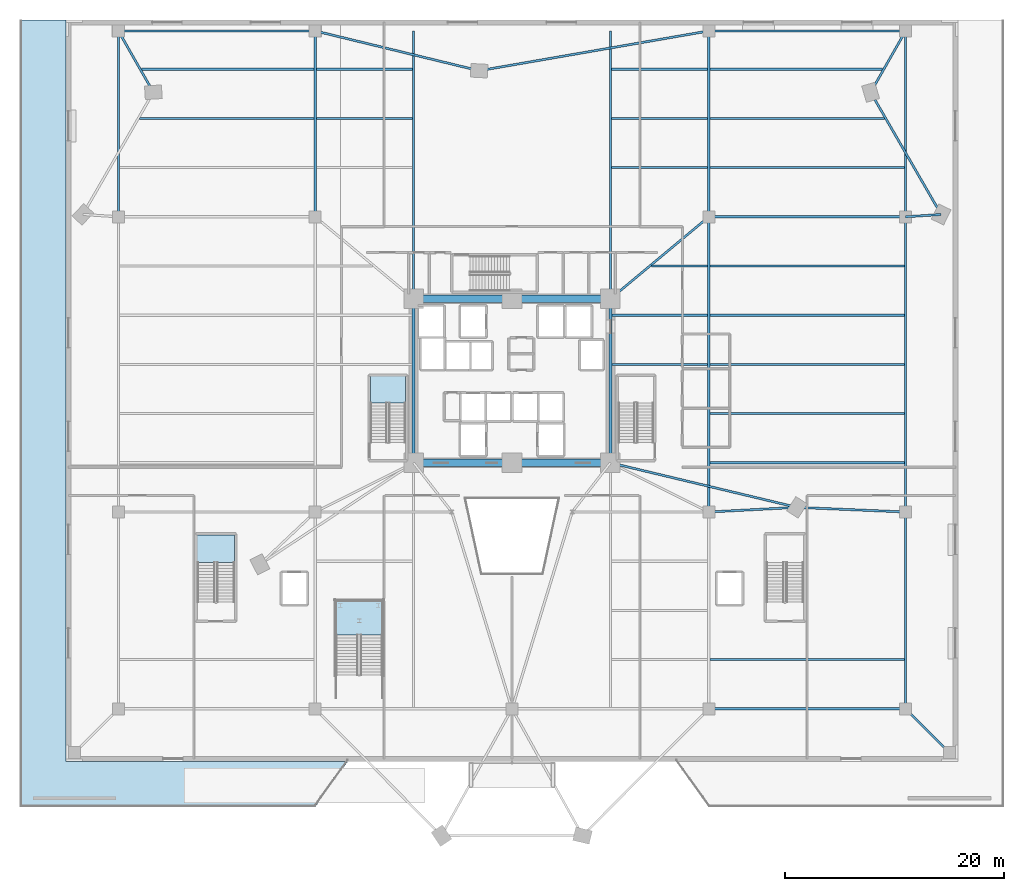
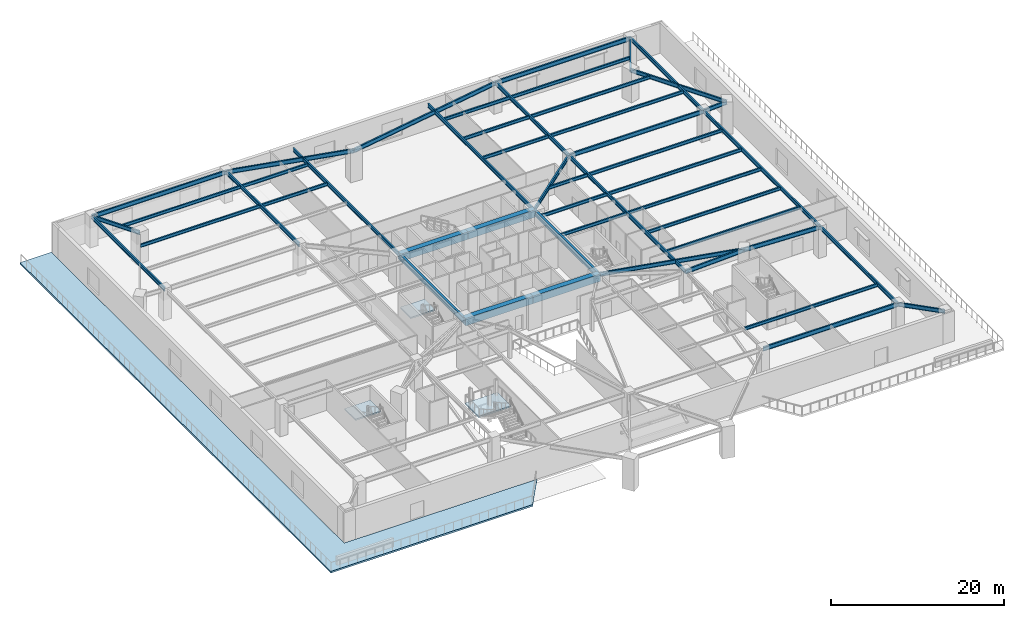
# One storey, part 4 of 19: 49 beams, 4 slabs, 3 elements without a shape of their own.
"""IFC4 building model written with IfcOpenShell, lengths in metres."""

from ifc_helpers import new_model, si_unit, direction, frame, origin, origin_2d, place, context, subcontext, project, spatial, polyline, rectangle, i_section, outline, extrude, source, transform, mapped, material, layer, layer_set, material_profile, profile_set, type_object, element, aggregate, save


model = new_model("IFC4")

# Units and contexts
model_context = context("Model", 3, precision=1e-05, world=origin(), true_north=direction((0.0, 1.0)))
body_context = subcontext(model_context, "Body", "Model", "MODEL_VIEW")
ifc_project = project(units=[si_unit("LENGTHUNIT", "METRE"), si_unit("AREAUNIT", "SQUARE_METRE"), si_unit("VOLUMEUNIT", "CUBIC_METRE"), si_unit("PLANEANGLEUNIT", "RADIAN"), si_unit("MASSUNIT", "GRAM", prefix="KILO")], contexts=[model_context])

# Site, building, storey
site_placement = place(None, origin())
site = spatial("IfcSite", under=ifc_project, at=site_placement, CompositionType="ELEMENT")
building_placement = place(site_placement, origin())
building = spatial("IfcBuilding", under=site, at=building_placement, Name="Liaohun Quay Tower", CompositionType="ELEMENT")
storey_placement = place(building_placement, frame((0.0, 0.0, 9.89990234375)))
storey = spatial("IfcBuildingStorey", under=building, at=storey_placement, Name="L03", CompositionType="ELEMENT", Elevation=9.89990234375)

# Beams
ifc_material_1 = material(Name="Concrete C60", Category="concrete")
ifc_material_profile_1 = material_profile(ifc_material_1, rectangle(XDim=0.699951171875, YDim=1.050048828125, at=origin_2d()), Name="RC700x1050")
ifc_profile_set_1 = profile_set([ifc_material_profile_1], Name="Concrete C60")
beam_type_1 = type_object("IfcBeamType", Name="BM-CPL-1", PredefinedType="LINTEL", material=ifc_profile_set_1)
shared_shape_1 = source(origin(), body_context, "Body", "SweptSolid", [
    extrude(rectangle(XDim=0.699951171875, YDim=1.050048828125, at=origin_2d()), origin(), (0.0, 0.0, 1.0), 9.0),
])
for number, where, z_axis, x_axis, name in (
    (1, (51.0, 46.5, 3.72509765625), (1.0, 0.0, 0.0), (0.0, 1.0, 0.0), "L03 Core Coupling/Ring Beam CC1-CC2"),
    (2, (60.0, 46.5, 3.72509765625), (1.0, 0.0, 0.0), (0.0, 1.0, 0.0), "L03 Core Coupling/Ring Beam CC2-CC3"),
    (3, (69.0, 61.5, 3.72509765625), (-1.0, 0.0, 0.0), (0.0, -1.0, 0.0), "L03 Core Coupling/Ring Beam CC4-CC5"),
    (4, (60.0, 61.5, 3.72509765625), (-1.0, 0.0, 0.0), (0.0, -1.0, 0.0), "L03 Core Coupling/Ring Beam CC5-CC6"),
):
    element("IfcBeam", number, at=place(storey_placement, frame(where, z_axis=z_axis, x_axis=x_axis)), inside=storey, type_object=beam_type_1, Name=name, PredefinedType="LINTEL", context=body_context, shape_type="MappedRepresentation", body=[
        mapped(shared_shape_1, transform((0.0, 0.0, 0.0), x_axis=(1.0, 0.0, 0.0), y_axis=(0.0, 1.0, 0.0), z_axis=(0.0, 0.0, 1.0), scale=1.0)),
    ])
ifc_material_2 = material(Name="Steel Q355D", Category="steel")
ifc_material_profile_2 = material_profile(ifc_material_2, i_section(OverallWidth=0.300048828125, OverallDepth=0.800048828125, WebThickness=0.013916015625, FlangeThickness=0.02587890625, at=origin_2d()), Name="HN800x300x14x26")
ifc_profile_set_2 = profile_set([ifc_material_profile_2], Name="Steel Q355D")
beam_type_2 = type_object("IfcBeamType", Name="BM-RAD-M1", PredefinedType="BEAM", material=ifc_profile_set_2)
shared_shape_2 = source(origin(), body_context, "Body", "SweptSolid", [
    extrude(i_section(OverallWidth=0.300048828125, OverallDepth=0.800048828125, WebThickness=0.013916015625, FlangeThickness=0.02587890625, at=origin_2d()), origin(), (0.0, 0.0, 1.0), 15.0),
])
for number, where, z_axis, x_axis, name in (
    (5, (69.0, 46.5, 3.85009765625), (0.0, 1.0, 0.0), (-1.0, 0.0, 0.0), "L03 Core Coupling/Ring Beam CC3-CC4"),
    (6, (51.0, 61.5, 3.85009765625), (0.0, -1.0, 0.0), (1.0, 0.0, 0.0), "L03 Core Coupling/Ring Beam CC6-CC1"),
):
    element("IfcBeam", number, at=place(storey_placement, frame(where, z_axis=z_axis, x_axis=x_axis)), inside=storey, type_object=beam_type_2, Name=name, PredefinedType="BEAM", context=body_context, shape_type="MappedRepresentation", body=[
        mapped(shared_shape_2, transform((0.0, 0.0, 0.0), x_axis=(1.0, 0.0, 0.0), y_axis=(0.0, 1.0, 0.0), z_axis=(0.0, 0.0, 1.0), scale=1.0)),
    ])
ifc_material_profile_3 = material_profile(ifc_material_2, i_section(OverallWidth=0.199951171875, OverallDepth=0.449951171875, WebThickness=0.009033203125, FlangeThickness=0.013916015625, at=origin_2d()), Name="HN450x200x9x14")
ifc_profile_set_3 = profile_set([ifc_material_profile_3], Name="Steel Q355D")
beam_type_3 = type_object("IfcBeamType", Name="BM-SEC-J1", PredefinedType="JOIST", material=ifc_profile_set_3)
shared_shape_3 = source(origin(), body_context, "Body", "SweptSolid", [
    extrude(i_section(OverallWidth=0.199951171875, OverallDepth=0.449951171875, WebThickness=0.009033203125, FlangeThickness=0.013916015625, at=origin_2d()), origin(), (0.0, 0.0, 1.0), 8.7998046875),
])
for number, where, z_axis, x_axis, name in (
    (7, (42.10009765625, 78.0, 4.025146484375), (1.0, 0.0, 0.0), (0.0, 1.0, 0.0), "L03 Composite Floor Joist SJ-21"),
    (8, (42.10009765625, 82.5, 4.025146484375), (1.0, 0.0, 0.0), (0.0, 1.0, 0.0), "L03 Composite Floor Joist SJ-22"),
    (9, (69.10009765625, 73.5, 4.025146484375), (1.0, 0.0, 0.0), (0.0, 1.0, 0.0), "L03 Composite Floor Joist SJ-31"),
    (10, (69.10009765625, 78.0, 4.025146484375), (1.0, 0.0, 0.0), (0.0, 1.0, 0.0), "L03 Composite Floor Joist SJ-32"),
    (11, (69.10009765625, 82.5, 4.025146484375), (1.0, 0.0, 0.0), (0.0, 1.0, 0.0), "L03 Composite Floor Joist SJ-33"),
):
    element("IfcBeam", number, at=place(storey_placement, frame(where, z_axis=z_axis, x_axis=x_axis)), inside=storey, type_object=beam_type_3, Name=name, PredefinedType="JOIST", context=body_context, shape_type="MappedRepresentation", body=[
        mapped(shared_shape_3, transform((0.0, 0.0, 0.0), x_axis=(1.0, 0.0, 0.0), y_axis=(0.0, 1.0, 0.0), z_axis=(0.0, 0.0, 1.0), scale=1.0)),
    ])
shared_shape_4 = source(origin(), body_context, "Body", "SweptSolid", [
    extrude(i_section(OverallWidth=0.199951171875, OverallDepth=0.449951171875, WebThickness=0.009033203125, FlangeThickness=0.013916015625, at=origin_2d()), origin(), (0.0, 0.0, 1.0), 17.7998046875),
])
for number, where, z_axis, x_axis, name in (
    (12, (78.10009765625, 28.5, 4.025146484375), (1.0, 0.0, 0.0), (0.0, 1.0, 0.0), "L03 Composite Floor Joist SJ-34"),
    (13, (78.10009765625, 46.5, 4.025146484375), (1.0, 0.0, 0.0), (0.0, 1.0, 0.0), "L03 Composite Floor Joist SJ-37"),
    (14, (78.10009765625, 51.0, 4.025146484375), (1.0, 0.0, 0.0), (0.0, 1.0, 0.0), "L03 Composite Floor Joist SJ-38"),
    (15, (78.10009765625, 55.5, 4.025146484375), (1.0, 0.0, 0.0), (0.0, 1.0, 0.0), "L03 Composite Floor Joist SJ-39"),
    (16, (78.10009765625, 60.0, 4.025146484375), (1.0, 0.0, 0.0), (0.0, 1.0, 0.0), "L03 Composite Floor Joist SJ-40"),
    (17, (78.10009765625, 64.5, 4.025146484375), (1.0, 0.0, 0.0), (0.0, 1.0, 0.0), "L03 Composite Floor Joist SJ-41"),
    (18, (78.10009765625, 73.5, 4.025146484375), (1.0, 0.0, 0.0), (0.0, 1.0, 0.0), "L03 Composite Floor Joist SJ-42"),
):
    element("IfcBeam", number, at=place(storey_placement, frame(where, z_axis=z_axis, x_axis=x_axis)), inside=storey, type_object=beam_type_3, Name=name, PredefinedType="JOIST", context=body_context, shape_type="MappedRepresentation", body=[
        mapped(shared_shape_4, transform((0.0, 0.0, 0.0), x_axis=(1.0, 0.0, 0.0), y_axis=(0.0, 1.0, 0.0), z_axis=(0.0, 0.0, 1.0), scale=1.0)),
    ])
shared_shape_5 = source(origin(), body_context, "Body", "SweptSolid", [
    extrude(i_section(OverallWidth=0.199951171875, OverallDepth=0.449951171875, WebThickness=0.009033203125, FlangeThickness=0.013916015625, at=origin_2d()), origin(), (0.0, 0.0, 1.0), 15.9658203125),
])
beam_1_placement = place(storey_placement, frame((25.93408203125, 78.0, 4.025146484375), z_axis=(1.0, 0.0, 0.0), x_axis=(0.0, 1.0, 0.0)))
element("IfcBeam", 19, at=beam_1_placement, inside=storey, type_object=beam_type_3, Name="L03 Composite Floor Joist SJ-10", PredefinedType="JOIST", context=body_context, shape_type="MappedRepresentation", body=[
    mapped(shared_shape_5, transform((0.0, 0.0, 0.0), x_axis=(1.0, 0.0, 0.0), y_axis=(0.0, 1.0, 0.0), z_axis=(0.0, 0.0, 1.0), scale=1.0)),
])
shared_shape_6 = source(origin(), body_context, "Body", "SweptSolid", [
    extrude(i_section(OverallWidth=0.199951171875, OverallDepth=0.449951171875, WebThickness=0.009033203125, FlangeThickness=0.013916015625, at=origin_2d()), origin(), (0.0, 0.0, 1.0), 15.788818359375),
])
beam_2_placement = place(storey_placement, frame((26.111083984375, 82.5, 4.025146484375), z_axis=(1.0, 0.0, 0.0), x_axis=(0.0, 1.0, 0.0)))
element("IfcBeam", 20, at=beam_2_placement, inside=storey, type_object=beam_type_3, Name="L03 Composite Floor Joist SJ-11", PredefinedType="JOIST", context=body_context, shape_type="MappedRepresentation", body=[
    mapped(shared_shape_6, transform((0.0, 0.0, 0.0), x_axis=(1.0, 0.0, 0.0), y_axis=(0.0, 1.0, 0.0), z_axis=(0.0, 0.0, 1.0), scale=1.0)),
])
shared_shape_7 = source(origin(), body_context, "Body", "SweptSolid", [
    extrude(i_section(OverallWidth=0.199951171875, OverallDepth=0.449951171875, WebThickness=0.009033203125, FlangeThickness=0.013916015625, at=origin_2d()), origin(), (0.0, 0.0, 1.0), 8.75),
])
for number, where, z_axis, x_axis, name in (
    (21, (69.14990234375, 55.5, 4.025146484375), (1.0, 0.0, 0.0), (0.0, 1.0, 0.0), "L03 Composite Floor Joist SJ-28"),
    (22, (69.14990234375, 60.0, 4.025146484375), (1.0, 0.0, 0.0), (0.0, 1.0, 0.0), "L03 Composite Floor Joist SJ-29"),
):
    element("IfcBeam", number, at=place(storey_placement, frame(where, z_axis=z_axis, x_axis=x_axis)), inside=storey, type_object=beam_type_3, Name=name, PredefinedType="JOIST", context=body_context, shape_type="MappedRepresentation", body=[
        mapped(shared_shape_7, transform((0.0, 0.0, 0.0), x_axis=(1.0, 0.0, 0.0), y_axis=(0.0, 1.0, 0.0), z_axis=(0.0, 0.0, 1.0), scale=1.0)),
    ])
shared_shape_8 = source(origin(), body_context, "Body", "SweptSolid", [
    extrude(i_section(OverallWidth=0.199951171875, OverallDepth=0.449951171875, WebThickness=0.009033203125, FlangeThickness=0.013916015625, at=origin_2d()), origin(), (0.0, 0.0, 1.0), 15.96484375),
])
beam_3_placement = place(storey_placement, frame((78.10009765625, 78.0, 4.025146484375), z_axis=(1.0, 0.0, 0.0), x_axis=(0.0, 1.0, 0.0)))
element("IfcBeam", 23, at=beam_3_placement, inside=storey, type_object=beam_type_3, Name="L03 Composite Floor Joist SJ-43", PredefinedType="JOIST", context=body_context, shape_type="MappedRepresentation", body=[
    mapped(shared_shape_8, transform((0.0, 0.0, 0.0), x_axis=(1.0, 0.0, 0.0), y_axis=(0.0, 1.0, 0.0), z_axis=(0.0, 0.0, 1.0), scale=1.0)),
])
shared_shape_9 = source(origin(), body_context, "Body", "SweptSolid", [
    extrude(i_section(OverallWidth=0.199951171875, OverallDepth=0.449951171875, WebThickness=0.009033203125, FlangeThickness=0.013916015625, at=origin_2d()), origin(), (0.0, 0.0, 1.0), 15.7919921875),
])
beam_4_placement = place(storey_placement, frame((78.10009765625, 82.5, 4.025146484375), z_axis=(1.0, 0.0, 0.0), x_axis=(0.0, 1.0, 0.0)))
element("IfcBeam", 24, at=beam_4_placement, inside=storey, type_object=beam_type_3, Name="L03 Composite Floor Joist SJ-44", PredefinedType="JOIST", context=body_context, shape_type="MappedRepresentation", body=[
    mapped(shared_shape_9, transform((0.0, 0.0, 0.0), x_axis=(1.0, 0.0, 0.0), y_axis=(0.0, 1.0, 0.0), z_axis=(0.0, 0.0, 1.0), scale=1.0)),
])
ifc_material_profile_4 = material_profile(ifc_material_2, i_section(OverallWidth=0.199951171875, OverallDepth=0.60009765625, WebThickness=0.010986328125, FlangeThickness=0.01708984375, at=origin_2d()), Name="HN600x200x11x17")
ifc_profile_set_4 = profile_set([ifc_material_profile_4], Name="Steel Q355D")
beam_type_4 = type_object("IfcBeamType", Name="BM-POD-G1", PredefinedType="BEAM", material=ifc_profile_set_4)
shared_shape_10 = source(origin(), body_context, "Body", "SweptSolid", [
    extrude(i_section(OverallWidth=0.199951171875, OverallDepth=0.60009765625, WebThickness=0.010986328125, FlangeThickness=0.01708984375, at=origin_2d()), origin(), (0.0, 0.0, 1.0), 18.0),
])
for number, where, z_axis, x_axis, name in (
    (25, (78.0, 24.0, 3.9501953125), (1.0, 0.0, 0.0), (0.0, 1.0, 0.0), "L03 Primary Grid Girder PG04-PG05"),
    (26, (78.0, 69.0, 3.9501953125), (1.0, 0.0, 0.0), (0.0, 1.0, 0.0), "L03 Primary Grid Girder PG12-PG13"),
    (27, (24.0, 86.0, 3.9501953125), (1.0, 0.0, 0.0), (0.0, 1.0, 0.0), "L03 Primary Grid Girder PG14-PG15"),
    (28, (78.0, 86.0, 3.9501953125), (1.0, 0.0, 0.0), (0.0, 1.0, 0.0), "L03 Primary Grid Girder PG17-PG18"),
):
    element("IfcBeam", number, at=place(storey_placement, frame(where, z_axis=z_axis, x_axis=x_axis)), inside=storey, type_object=beam_type_4, Name=name, PredefinedType="BEAM", context=body_context, shape_type="MappedRepresentation", body=[
        mapped(shared_shape_10, transform((0.0, 0.0, 0.0), x_axis=(1.0, 0.0, 0.0), y_axis=(0.0, 1.0, 0.0), z_axis=(0.0, 0.0, 1.0), scale=1.0)),
    ])
shared_shape_11 = source(origin(), body_context, "Body", "SweptSolid", [
    extrude(i_section(OverallWidth=0.199951171875, OverallDepth=0.60009765625, WebThickness=0.010986328125, FlangeThickness=0.01708984375, at=origin_2d()), origin(), (0.0, 0.0, 1.0), 8.074951171875),
])
beam_5_placement = place(storey_placement, frame((78.0, 42.0, 3.9501953125), z_axis=(0.998626418426, 0.052395385502, 0.0), x_axis=(-0.052395385502, 0.998626418426, 0.0)))
element("IfcBeam", 29, at=beam_5_placement, inside=storey, type_object=beam_type_4, Name="L03 Primary Grid Girder PG08-PC10", PredefinedType="BEAM", context=body_context, shape_type="MappedRepresentation", body=[
    mapped(shared_shape_11, transform((0.0, 0.0, 0.0), x_axis=(1.0, 0.0, 0.0), y_axis=(0.0, 1.0, 0.0), z_axis=(0.0, 0.0, 1.0), scale=1.0)),
])
shared_shape_12 = source(origin(), body_context, "Body", "SweptSolid", [
    extrude(i_section(OverallWidth=0.199951171875, OverallDepth=0.60009765625, WebThickness=0.010986328125, FlangeThickness=0.01708984375, at=origin_2d()), origin(), (0.0, 0.0, 1.0), 9.945068359375),
])
beam_6_placement = place(storey_placement, frame((86.06396484375, 42.423095703125, 3.9501953125), z_axis=(0.999094620033, -0.042543392219, 0.0), x_axis=(0.042543392219, 0.999094620033, 0.0)))
element("IfcBeam", 30, at=beam_6_placement, inside=storey, type_object=beam_type_4, Name="L03 Primary Grid Girder PC10-PG09", PredefinedType="BEAM", context=body_context, shape_type="MappedRepresentation", body=[
    mapped(shared_shape_12, transform((0.0, 0.0, 0.0), x_axis=(1.0, 0.0, 0.0), y_axis=(0.0, 1.0, 0.0), z_axis=(0.0, 0.0, 1.0), scale=1.0)),
])
shared_shape_13 = source(origin(), body_context, "Body", "SweptSolid", [
    extrude(i_section(OverallWidth=0.199951171875, OverallDepth=0.60009765625, WebThickness=0.010986328125, FlangeThickness=0.01708984375, at=origin_2d()), origin(), (0.0, 0.0, 1.0), 11.71533203125),
])
beam_7_placement = place(storey_placement, frame((69.0, 61.5, 3.9501953125), z_axis=(0.768221279597, 0.640184399664, 0.0), x_axis=(-0.640184399664, 0.768221279597, 0.0)))
element("IfcBeam", 31, at=beam_7_placement, inside=storey, type_object=beam_type_4, Name="L03 Primary Grid Girder CC4-PG12", PredefinedType="BEAM", context=body_context, shape_type="MappedRepresentation", body=[
    mapped(shared_shape_13, transform((0.0, 0.0, 0.0), x_axis=(1.0, 0.0, 0.0), y_axis=(0.0, 1.0, 0.0), z_axis=(0.0, 0.0, 1.0), scale=1.0)),
])
shared_shape_14 = source(origin(), body_context, "Body", "SweptSolid", [
    extrude(i_section(OverallWidth=0.199951171875, OverallDepth=0.60009765625, WebThickness=0.010986328125, FlangeThickness=0.01708984375, at=origin_2d()), origin(), (0.0, 0.0, 1.0), 15.4306640625),
])
beam_8_placement = place(storey_placement, frame((42.0, 86.0, 3.9501953125), z_axis=(0.971780133719, -0.235888473032, 0.0), x_axis=(0.235888473032, 0.971780133719, 0.0)))
element("IfcBeam", 32, at=beam_8_placement, inside=storey, type_object=beam_type_4, Name="L03 Primary Grid Girder PG15-PC06", PredefinedType="BEAM", context=body_context, shape_type="MappedRepresentation", body=[
    mapped(shared_shape_14, transform((0.0, 0.0, 0.0), x_axis=(1.0, 0.0, 0.0), y_axis=(0.0, 1.0, 0.0), z_axis=(0.0, 0.0, 1.0), scale=1.0)),
])
shared_shape_15 = source(origin(), body_context, "Body", "SweptSolid", [
    extrude(i_section(OverallWidth=0.199951171875, OverallDepth=0.60009765625, WebThickness=0.010986328125, FlangeThickness=0.01708984375, at=origin_2d()), origin(), (0.0, 0.0, 1.0), 21.31787109375),
])
beam_9_placement = place(storey_placement, frame((56.9951171875, 82.360107421875, 3.9501953125), z_axis=(0.985315548274, 0.170743287801, 0.0), x_axis=(-0.170743287801, 0.985315548274, 0.0)))
element("IfcBeam", 33, at=beam_9_placement, inside=storey, type_object=beam_type_4, Name="L03 Primary Grid Girder PC06-PG17", PredefinedType="BEAM", context=body_context, shape_type="MappedRepresentation", body=[
    mapped(shared_shape_15, transform((0.0, 0.0, 0.0), x_axis=(1.0, 0.0, 0.0), y_axis=(0.0, 1.0, 0.0), z_axis=(0.0, 0.0, 1.0), scale=1.0)),
])
ifc_material_profile_5 = material_profile(ifc_material_2, i_section(OverallWidth=0.199951171875, OverallDepth=0.550048828125, WebThickness=0.010009765625, FlangeThickness=0.01611328125, at=origin_2d()), Name="HN550x200x10x16")
ifc_profile_set_5 = profile_set([ifc_material_profile_5], Name="Steel Q355D")
beam_type_5 = type_object("IfcBeamType", Name="BM-POD-G2", PredefinedType="BEAM", material=ifc_profile_set_5)
shared_shape_16 = source(origin(), body_context, "Body", "SweptSolid", [
    extrude(i_section(OverallWidth=0.199951171875, OverallDepth=0.550048828125, WebThickness=0.010009765625, FlangeThickness=0.01611328125, at=origin_2d()), origin(), (0.0, 0.0, 1.0), 27.0),
])
for number, where, z_axis, x_axis, name in (
    (34, (78.0, 42.0, 3.97509765625), (0.0, 1.0, 0.0), (-1.0, 0.0, 0.0), "L03 Primary Grid Girder PG08-PG12"),
    (35, (96.0, 42.0, 3.97509765625), (0.0, 1.0, 0.0), (-1.0, 0.0, 0.0), "L03 Primary Grid Girder PG09-PG13"),
):
    element("IfcBeam", number, at=place(storey_placement, frame(where, z_axis=z_axis, x_axis=x_axis)), inside=storey, type_object=beam_type_5, Name=name, PredefinedType="BEAM", context=body_context, shape_type="MappedRepresentation", body=[
        mapped(shared_shape_16, transform((0.0, 0.0, 0.0), x_axis=(1.0, 0.0, 0.0), y_axis=(0.0, 1.0, 0.0), z_axis=(0.0, 0.0, 1.0), scale=1.0)),
    ])
shared_shape_17 = source(origin(), body_context, "Body", "SweptSolid", [
    extrude(i_section(OverallWidth=0.199951171875, OverallDepth=0.550048828125, WebThickness=0.010009765625, FlangeThickness=0.01611328125, at=origin_2d()), origin(), (0.0, 0.0, 1.0), 17.0),
])
for number, where, z_axis, x_axis, name in (
    (36, (24.0, 69.0, 3.97509765625), (0.0, 1.0, 0.0), (-1.0, 0.0, 0.0), "L03 Primary Grid Girder PG10-PG14"),
    (37, (42.0, 69.0, 3.97509765625), (0.0, 1.0, 0.0), (-1.0, 0.0, 0.0), "L03 Primary Grid Girder PG11-PG15"),
    (38, (78.0, 69.0, 3.97509765625), (0.0, 1.0, 0.0), (-1.0, 0.0, 0.0), "L03 Primary Grid Girder PG12-PG17"),
    (39, (96.0, 69.0, 3.97509765625), (0.0, 1.0, 0.0), (-1.0, 0.0, 0.0), "L03 Primary Grid Girder PG13-PG18"),
):
    element("IfcBeam", number, at=place(storey_placement, frame(where, z_axis=z_axis, x_axis=x_axis)), inside=storey, type_object=beam_type_5, Name=name, PredefinedType="BEAM", context=body_context, shape_type="MappedRepresentation", body=[
        mapped(shared_shape_17, transform((0.0, 0.0, 0.0), x_axis=(1.0, 0.0, 0.0), y_axis=(0.0, 1.0, 0.0), z_axis=(0.0, 0.0, 1.0), scale=1.0)),
    ])
shared_shape_18 = source(origin(), body_context, "Body", "SweptSolid", [
    extrude(i_section(OverallWidth=0.199951171875, OverallDepth=0.550048828125, WebThickness=0.010009765625, FlangeThickness=0.01611328125, at=origin_2d()), origin(), (0.0, 0.0, 1.0), 18.0),
])
beam_10_placement = place(storey_placement, frame((96.0, 24.0, 3.97509765625), z_axis=(0.0, 1.0, 0.0), x_axis=(-1.0, 0.0, 0.0)))
element("IfcBeam", 40, at=beam_10_placement, inside=storey, type_object=beam_type_5, Name="L03 Primary Grid Girder PG05-PG09", PredefinedType="BEAM", context=body_context, shape_type="MappedRepresentation", body=[
    mapped(shared_shape_18, transform((0.0, 0.0, 0.0), x_axis=(1.0, 0.0, 0.0), y_axis=(0.0, 1.0, 0.0), z_axis=(0.0, 0.0, 1.0), scale=1.0)),
])
shared_shape_19 = source(origin(), body_context, "Body", "SweptSolid", [
    extrude(i_section(OverallWidth=0.199951171875, OverallDepth=0.550048828125, WebThickness=0.010009765625, FlangeThickness=0.01611328125, at=origin_2d()), origin(), (0.0, 0.0, 1.0), 17.544189453125),
])
beam_11_placement = place(storey_placement, frame((86.06396484375, 42.423095703125, 3.97509765625), z_axis=(-0.972625403076, 0.23237862486, 0.0), x_axis=(-0.23237862486, -0.972625403076, 0.0)))
element("IfcBeam", 41, at=beam_11_placement, inside=storey, type_object=beam_type_5, Name="L03 Primary Grid Girder PC10-CC3", PredefinedType="BEAM", context=body_context, shape_type="MappedRepresentation", body=[
    mapped(shared_shape_19, transform((0.0, 0.0, 0.0), x_axis=(1.0, 0.0, 0.0), y_axis=(0.0, 1.0, 0.0), z_axis=(0.0, 0.0, 1.0), scale=1.0)),
])
shared_shape_20 = source(origin(), body_context, "Body", "SweptSolid", [
    extrude(i_section(OverallWidth=0.199951171875, OverallDepth=0.550048828125, WebThickness=0.010009765625, FlangeThickness=0.01611328125, at=origin_2d()), origin(), (0.0, 0.0, 1.0), 6.45703125),
])
beam_12_placement = place(storey_placement, frame((27.198974609375, 80.39111328125, 3.97509765625), z_axis=(-0.49542619565, 0.868650035782, 0.0), x_axis=(-0.868650035782, -0.49542619565, 0.0)))
element("IfcBeam", 42, at=beam_12_placement, inside=storey, type_object=beam_type_5, Name="L03 Primary Grid Girder PC05-PG14", PredefinedType="BEAM", context=body_context, shape_type="MappedRepresentation", body=[
    mapped(shared_shape_20, transform((0.0, 0.0, 0.0), x_axis=(1.0, 0.0, 0.0), y_axis=(0.0, 1.0, 0.0), z_axis=(0.0, 0.0, 1.0), scale=1.0)),
])
shared_shape_21 = source(origin(), body_context, "Body", "SweptSolid", [
    extrude(i_section(OverallWidth=0.199951171875, OverallDepth=0.550048828125, WebThickness=0.010009765625, FlangeThickness=0.01611328125, at=origin_2d()), origin(), (0.0, 0.0, 1.0), 6.462158203125),
])
beam_13_placement = place(storey_placement, frame((92.802978515625, 80.384033203125, 3.97509765625), z_axis=(0.494726480393, 0.869048738333, 0.0), x_axis=(-0.869048738333, 0.494726480393, 0.0)))
element("IfcBeam", 43, at=beam_13_placement, inside=storey, type_object=beam_type_5, Name="L03 Primary Grid Girder PC07-PG18", PredefinedType="BEAM", context=body_context, shape_type="MappedRepresentation", body=[
    mapped(shared_shape_21, transform((0.0, 0.0, 0.0), x_axis=(1.0, 0.0, 0.0), y_axis=(0.0, 1.0, 0.0), z_axis=(0.0, 0.0, 1.0), scale=1.0)),
])
shared_shape_22 = source(origin(), body_context, "Body", "SweptSolid", [
    extrude(i_section(OverallWidth=0.199951171875, OverallDepth=0.550048828125, WebThickness=0.010009765625, FlangeThickness=0.01611328125, at=origin_2d()), origin(), (0.0, 0.0, 1.0), 3.262939453125),
])
beam_14_placement = place(storey_placement, frame((99.256103515625, 69.2119140625, 3.97509765625), z_axis=(-0.997888864182, -0.064944705264, 0.0), x_axis=(0.064944705264, -0.997888864182, 0.0)))
element("IfcBeam", 44, at=beam_14_placement, inside=storey, type_object=beam_type_5, Name="L03 Primary Grid Girder PC09-PG13", PredefinedType="BEAM", context=body_context, shape_type="MappedRepresentation", body=[
    mapped(shared_shape_22, transform((0.0, 0.0, 0.0), x_axis=(1.0, 0.0, 0.0), y_axis=(0.0, 1.0, 0.0), z_axis=(0.0, 0.0, 1.0), scale=1.0)),
])
shared_shape_23 = source(origin(), body_context, "Body", "SweptSolid", [
    extrude(i_section(OverallWidth=0.199951171875, OverallDepth=0.550048828125, WebThickness=0.010009765625, FlangeThickness=0.01611328125, at=origin_2d()), origin(), (0.0, 0.0, 1.0), 12.90185546875),
])
beam_15_placement = place(storey_placement, frame((92.802978515625, 80.384033203125, 3.97509765625), z_axis=(0.500168512593, -0.865928091131, 0.0), x_axis=(0.865928091131, 0.500168512593, 0.0)))
element("IfcBeam", 45, at=beam_15_placement, inside=storey, type_object=beam_type_5, Name="L03 Primary Grid Girder PC07-PC09", PredefinedType="BEAM", context=body_context, shape_type="MappedRepresentation", body=[
    mapped(shared_shape_23, transform((0.0, 0.0, 0.0), x_axis=(1.0, 0.0, 0.0), y_axis=(0.0, 1.0, 0.0), z_axis=(0.0, 0.0, 1.0), scale=1.0)),
])
shared_shape_24 = source(origin(), body_context, "Body", "SweptSolid", [
    extrude(i_section(OverallWidth=0.199951171875, OverallDepth=0.550048828125, WebThickness=0.010009765625, FlangeThickness=0.01611328125, at=origin_2d()), origin(), (0.0, 0.0, 1.0), 5.65673828125),
])
beam_16_placement = place(storey_placement, frame((100.0, 20.0, 3.97509765625), z_axis=(-0.707106781187, 0.707106781187, 0.0), x_axis=(-0.707106781187, -0.707106781187, 0.0)))
element("IfcBeam", 46, at=beam_16_placement, inside=storey, type_object=beam_type_5, Name="L03 Perimeter Tie Girder PT06-PG05", PredefinedType="BEAM", context=body_context, shape_type="MappedRepresentation", body=[
    mapped(shared_shape_24, transform((0.0, 0.0, 0.0), x_axis=(1.0, 0.0, 0.0), y_axis=(0.0, 1.0, 0.0), z_axis=(0.0, 0.0, 1.0), scale=1.0)),
])
shared_shape_25 = source(origin(), body_context, "Body", "SweptSolid", [
    extrude(i_section(OverallWidth=0.199951171875, OverallDepth=0.550048828125, WebThickness=0.010009765625, FlangeThickness=0.01611328125, at=origin_2d()), origin(), (0.0, 0.0, 1.0), 24.5),
])
for number, where, z_axis, x_axis, name in (
    (47, (51.0, 61.5, 3.97509765625), (0.0, 1.0, 0.0), (-1.0, 0.0, 0.0), "L03 Spine Girder X51-N"),
    (48, (69.0, 61.5, 3.97509765625), (0.0, 1.0, 0.0), (-1.0, 0.0, 0.0), "L03 Spine Girder X69-N"),
):
    element("IfcBeam", number, at=place(storey_placement, frame(where, z_axis=z_axis, x_axis=x_axis)), inside=storey, type_object=beam_type_5, Name=name, PredefinedType="BEAM", context=body_context, shape_type="MappedRepresentation", body=[
        mapped(shared_shape_25, transform((0.0, 0.0, 0.0), x_axis=(1.0, 0.0, 0.0), y_axis=(0.0, 1.0, 0.0), z_axis=(0.0, 0.0, 1.0), scale=1.0)),
    ])
shared_shape_26 = source(origin(), body_context, "Body", "SweptSolid", [
    extrude(i_section(OverallWidth=0.199951171875, OverallDepth=0.449951171875, WebThickness=0.009033203125, FlangeThickness=0.013916015625, at=origin_2d()), origin(), (0.0, 0.0, 1.0), 5.143798828125),
])
beam_17_placement = place(storey_placement, frame((72.756103515625, 64.5, 4.025146484375), z_axis=(1.0, 0.0, 0.0), x_axis=(0.0, 1.0, 0.0)))
element("IfcBeam", 49, at=beam_17_placement, inside=storey, type_object=beam_type_3, Name="L03 Composite Floor Joist SJ-30", PredefinedType="JOIST", context=body_context, shape_type="MappedRepresentation", body=[
    mapped(shared_shape_26, transform((0.0, 0.0, 0.0), x_axis=(1.0, 0.0, 0.0), y_axis=(0.0, 1.0, 0.0), z_axis=(0.0, 0.0, 1.0), scale=1.0)),
])

# Stair, slab
ifc_material_3 = material(Name="Concrete C45", Category="concrete")
stair_type_1 = type_object("IfcStairType", Name="STR-CORE-TALL", PredefinedType="HALF_TURN_STAIR", material=ifc_material_3)
stair_1_placement = place(storey_placement, origin())
stair_1 = element("IfcStair", 50, at=stair_1_placement, inside=storey, type_object=stair_type_1, Name="L03 Smokeproof Core Exit Stair ST-1", PredefinedType="HALF_TURN_STAIR")
ifc_layer_1 = layer(ifc_material_3, 0.199951171875, Name="Concrete C45", Category="concrete")
ifc_layer_set_1 = layer_set([ifc_layer_1], Name="Concrete C45")
slab_type_1 = type_object("IfcSlabType", Name="SLB-LND-200", PredefinedType="LANDING", material=ifc_layer_set_1)
slab_1_placement = place(storey_placement, frame((0.0, 0.0, 2.050048828125)))
slab_1 = element("IfcSlab", 51, at=slab_1_placement, type_object=slab_type_1, Name="ST-1 landing 1", PredefinedType="LANDING", context=body_context, shape_type="SweptSolid", body=[
    extrude(outline(polyline([(50.280029296875, 51.989990234375), (50.280029296875, 54.419921875), (47.0400390625, 54.419921875), (47.0400390625, 51.989990234375), (50.280029296875, 51.989990234375)])), origin(), (0.0, 0.0, 1.0), 0.199951171875),
])
aggregate(stair_1, [slab_1])

stair_type_2 = type_object("IfcStairType", Name="STR-POD-EXIT", PredefinedType="TWO_STRAIGHT_RUN_STAIR", material=ifc_material_3)
stair_2_placement = place(storey_placement, origin())
stair_2 = element("IfcStair", 52, at=stair_2_placement, inside=storey, type_object=stair_type_2, Name="L03 Podium Smokeproof Exit Stair ST-P1", PredefinedType="TWO_STRAIGHT_RUN_STAIR")
slab_2_placement = place(storey_placement, frame((0.0, 0.0, 2.050048828125)))
slab_2 = element("IfcSlab", 53, at=slab_2_placement, type_object=slab_type_1, Name="ST-P1 landing 1", PredefinedType="LANDING", context=body_context, shape_type="SweptSolid", body=[
    extrude(outline(polyline([(34.639892578125, 37.389892578125), (34.639892578125, 39.89990234375), (31.199951171875, 39.89990234375), (31.199951171875, 37.389892578125), (34.639892578125, 37.389892578125)])), origin(), (0.0, 0.0, 1.0), 0.199951171875),
])
aggregate(stair_2, [slab_2])

ifc_material_4 = material(Name="Precast concrete C50", Category="concrete")
stair_type_3 = type_object("IfcStairType", Name="STR-MON-ATR", PredefinedType="STRAIGHT_RUN_STAIR", material=ifc_material_4)
stair_3_placement = place(storey_placement, origin())
stair_3 = element("IfcStair", 54, at=stair_3_placement, inside=storey, type_object=stair_type_3, Name="L03 Monumental Atrium Feature Stair ST-A", PredefinedType="STRAIGHT_RUN_STAIR")
slab_3_placement = place(storey_placement, frame((0.0, 0.0, 2.050048828125)))
slab_3 = element("IfcSlab", 55, at=slab_3_placement, type_object=slab_type_1, Name="ST-A landing 1", PredefinedType="LANDING", context=body_context, shape_type="SweptSolid", body=[
    extrude(outline(polyline([(48.199951171875, 30.739990234375), (48.199951171875, 33.89990234375), (43.860107421875, 33.89990234375), (43.860107421875, 30.739990234375), (48.199951171875, 30.739990234375)])), origin(), (0.0, 0.0, 1.0), 0.199951171875),
])
aggregate(stair_3, [slab_3])

# Slab
ifc_material_5 = material(Name="Concrete C50", Category="concrete")
ifc_layer_2 = layer(ifc_material_5, 0.239990234375, Name="Concrete C50", Category="concrete")
ifc_layer_set_2 = layer_set([ifc_layer_2], Name="Concrete C50")
slab_type_2 = type_object("IfcSlabType", Name="SLB-TER-240", PredefinedType="ROOF", material=ifc_layer_set_2)
slab_4_placement = place(storey_placement, frame((0.0, 0.0, -0.239990234375)))
element("IfcSlab", 56, at=slab_4_placement, inside=storey, type_object=slab_type_2, Name="L03 Waterfront Stepped Terrace Slab West", PredefinedType="ROOF", context=body_context, shape_type="SweptSolid", body=[
    extrude(outline(polyline([(44.992919921875, 19.18994140625), (19.18994140625, 19.18994140625), (19.18994140625, 87.0), (15.0, 87.0), (15.0, 15.0), (42.0, 15.0), (44.992919921875, 19.18994140625)])), origin(), (0.0, 0.0, 1.0), 0.239990234375),
])

save(model, "model.ifc")
